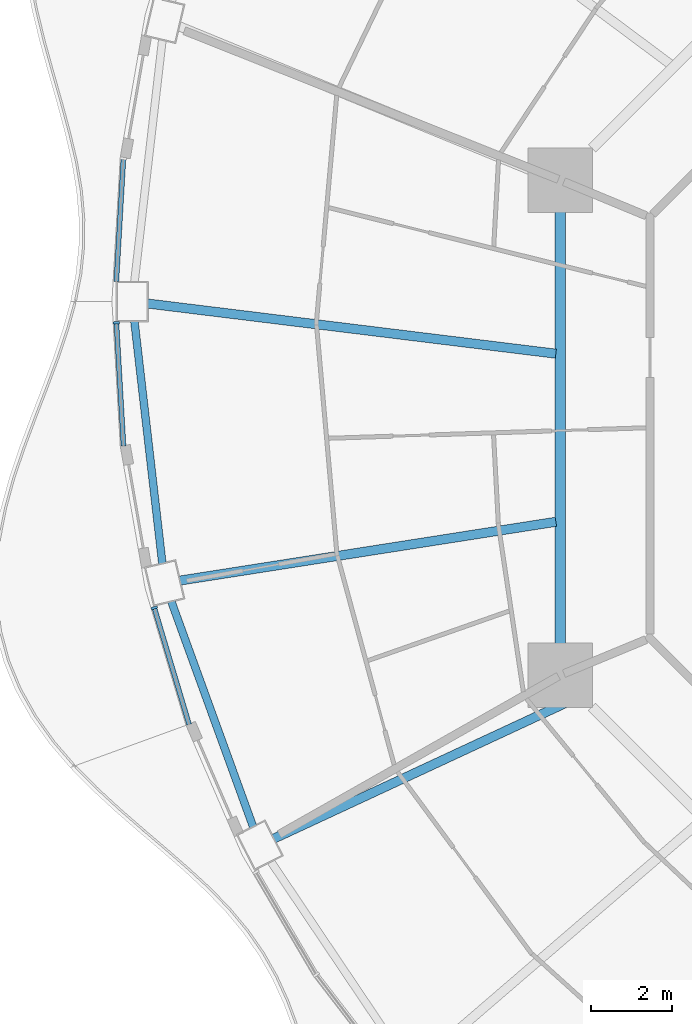
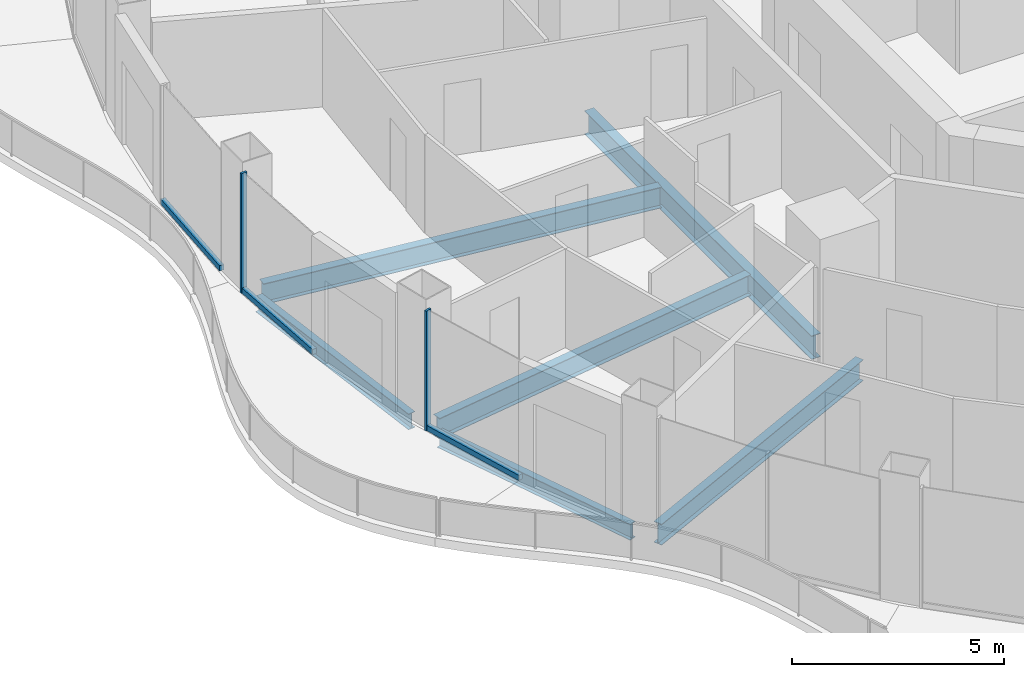
# One storey, part 3 of 18: 6 beams, 5 members, 3 elements without a shape of their own.
"""IFC4 building model written with IfcOpenShell, lengths in metres."""

import ifcopenshell
import ifcopenshell.guid

model = None  # the IFC model being written
_history = None  # IfcOwnerHistory: only IFC2X3 demands one
_inside = {}  # id of a spatial element -> (the spatial element, [elements in it])
_under = {}  # id of a project, library or spatial element -> (it, [spatial elements below it])
_declared = {}  # id of a project -> (the project, [libraries it declares])
_typed = {}  # id of a type object -> (the type object, [elements of that type])
_made_of = {}  # id of a material, layer set ... -> (it, [elements and type objects made of it])


def new_model(schema):
    """Start an empty IFC model of exactly this schema.

    Asked for "IFC4X3", IfcOpenShell would pick the latest addendum, in which some entities
    have other attributes; the version numbers below select the first issue.
    IFC2X3 requires an IfcOwnerHistory on every rooted entity: one is made here for all.
    """
    global model, _history
    if schema == "IFC4X3":
        model = ifcopenshell.file(schema_version=(4, 3, 0, 0))
    else:
        model = ifcopenshell.file(schema=schema)
    _inside.clear()
    _under.clear()
    _declared.clear()
    _typed.clear()
    _made_of.clear()
    _history = None
    if model.schema == "IFC2X3":
        org = make("IfcOrganization", Name="unknown")
        user = make(
            "IfcPersonAndOrganization",
            ThePerson=make("IfcPerson", FamilyName="unknown"),
            TheOrganization=org,
        )
        app = make(
            "IfcApplication",
            ApplicationDeveloper=org,
            Version="unknown",
            ApplicationFullName="unknown",
            ApplicationIdentifier="unknown",
        )
        _history = make(
            "IfcOwnerHistory",
            OwningUser=user,
            OwningApplication=app,
            ChangeAction="ADDED",
            CreationDate=0,
        )
    return model


def make(cls, **values):
    """One entity of the class cls with the attributes given. An attribute that is None is left unset."""
    return model.create_entity(
        cls, **{name: value for name, value in values.items() if value is not None}
    )


def rooted(cls, **values):
    """An entity with a GlobalId (a new one), such as an element, a storey or a relation."""
    return make(cls, GlobalId=ifcopenshell.guid.new(), OwnerHistory=_history, **values)


def si_unit(unit_type, name, prefix=None):
    """IfcSIUnit, for example si_unit("LENGTHUNIT", "METRE", prefix="MILLI")."""
    return make("IfcSIUnit", UnitType=unit_type, Prefix=prefix, Name=name)


def assignment(units):
    """IfcUnitAssignment: the units of a project."""
    return None if units is None else make("IfcUnitAssignment", Units=units)


def point(xyz):
    """IfcCartesianPoint."""
    return None if xyz is None else make("IfcCartesianPoint", Coordinates=xyz)


def direction(xyz):
    """IfcDirection."""
    return None if xyz is None else make("IfcDirection", DirectionRatios=xyz)


def frame(location, z_axis=None, x_axis=None):
    """IfcAxis2Placement3D, a coordinate frame: its origin and axes. An axis left out is left unset."""
    return make(
        "IfcAxis2Placement3D",
        Location=point(location),
        Axis=direction(z_axis),
        RefDirection=direction(x_axis),
    )


def frame_2d(location, x_axis=None):
    """IfcAxis2Placement2D, a coordinate frame in the plane: its origin and x axis."""
    return make(
        "IfcAxis2Placement2D", Location=point(location), RefDirection=direction(x_axis)
    )


def origin():
    """The frame at (0, 0, 0) with its axes left unset."""
    return frame((0.0, 0.0, 0.0))


def origin_2d():
    """The frame at (0, 0) in the plane with its x axis left unset."""
    return frame_2d((0.0, 0.0))


def place(relative_to, where):
    """IfcLocalPlacement: puts the frame where relative to a parent placement (None: the world)."""
    return make(
        "IfcLocalPlacement", PlacementRelTo=relative_to, RelativePlacement=where
    )


def context(
    kind, dimensions, precision=None, world=None, true_north=None, identifier=None
):
    """IfcGeometricRepresentationContext, for example the 3D "Model" context."""
    return make(
        "IfcGeometricRepresentationContext",
        ContextIdentifier=identifier,
        ContextType=kind,
        CoordinateSpaceDimension=dimensions,
        Precision=precision,
        WorldCoordinateSystem=world,
        TrueNorth=true_north,
    )


def subcontext(parent, identifier, kind, view, scale=None):
    """IfcGeometricRepresentationSubContext, for example "Body" below "Model"."""
    return make(
        "IfcGeometricRepresentationSubContext",
        ContextIdentifier=identifier,
        ContextType=kind,
        ParentContext=parent,
        TargetScale=scale,
        TargetView=view,
    )


def project(units=None, contexts=None):
    """IfcProject with its units and contexts."""
    return rooted(
        "IfcProject",
        Name="project",
        RepresentationContexts=contexts,
        UnitsInContext=assignment(units),
    )


def spatial(cls, under=None, at=None, **own):
    """A site, building, storey or space (cls), placed at a placement, below another one or the project."""
    s = rooted(cls, ObjectPlacement=at, **own)
    if under is not None:
        _under.setdefault(under.id(), (under, []))[1].append(s)
    return s


def profile(cls, at=None, kind="AREA", **sizes):
    """A parametric profile (cls). Its sizes go by their IFC names, for example OverallWidth=200.0."""
    return make(cls, ProfileType=kind, Position=at, **sizes)


def rectangle(**sizes):
    """IfcRectangleProfileDef."""
    return profile("IfcRectangleProfileDef", **sizes)


def i_section(**sizes):
    """IfcIShapeProfileDef."""
    return profile("IfcIShapeProfileDef", **sizes)


def extrude(swept, where, along, depth):
    """IfcExtrudedAreaSolid: the profile swept, set in the frame where, extruded along a direction by depth."""
    return make(
        "IfcExtrudedAreaSolid",
        SweptArea=swept,
        Position=where,
        ExtrudedDirection=direction(along),
        Depth=depth,
    )


def shape(context_of_items, identifier, shape_type, items):
    """IfcShapeRepresentation: the items that make up one representation, for example the "Body"."""
    return make(
        "IfcShapeRepresentation",
        ContextOfItems=context_of_items,
        RepresentationIdentifier=identifier,
        RepresentationType=shape_type,
        Items=items,
    )


def material(Name=None, Category=None):
    """IfcMaterial."""
    return make("IfcMaterial", Name=Name, Category=Category)


def layer(
    of_material, thickness, ventilated=None, Name=None, Category=None, Priority=None
):
    """IfcMaterialLayer: one layer of a wall or slab, of a material (None: an air gap)."""
    return make(
        "IfcMaterialLayer",
        Material=of_material,
        LayerThickness=thickness,
        IsVentilated=ventilated,
        Name=Name,
        Category=Category,
        Priority=Priority,
    )


def layer_set(layers, Name=None):
    """IfcMaterialLayerSet."""
    return make("IfcMaterialLayerSet", MaterialLayers=layers, LayerSetName=Name)


def material_profile(
    of_material, cross_section, Name=None, Category=None, Priority=None
):
    """IfcMaterialProfile: a cross section and its material."""
    return make(
        "IfcMaterialProfile",
        Name=Name,
        Material=of_material,
        Profile=cross_section,
        Priority=Priority,
        Category=Category,
    )


def profile_set(profiles, Name=None, composite=None):
    """IfcMaterialProfileSet."""
    return make(
        "IfcMaterialProfileSet",
        Name=Name,
        MaterialProfiles=profiles,
        CompositeProfile=composite,
    )


def made_of(thing, what):
    """Note that an element or type object is made of a material, layer set ...; save() writes the relation."""
    if what is not None:
        _made_of.setdefault(what.id(), (what, []))[1].append(thing)
    return thing


def type_object(cls, material=None, **own):
    """A type object (cls), such as IfcWallType, which elements share."""
    return made_of(rooted(cls, **own), material)


def element(
    cls,
    number,
    at=None,
    inside=None,
    cuts=None,
    type_object=None,
    material=None,
    context=None,
    identifier="Body",
    shape_type=None,
    held_by="IfcProductDefinitionShape",
    body=None,
    shapes=None,
    **own,
):
    """One element of the class cls, such as IfcWall. Its Tag is "e" and its number.

    at: its placement. inside: the storey or other place that contains it. cuts: it is an
    opening in that element (IfcRelVoidsElement). A single representation is given by context,
    identifier, shape_type and body (its items); several are given by shapes. held_by: the class
    of the entity that holds the representations. save() writes the other relations.
    """
    e = rooted(cls, Tag="e%d" % number, ObjectPlacement=at, **own)
    if body is not None:
        shapes = [shape(context, identifier, shape_type, body)]
    if shapes is not None:
        e.Representation = make(held_by, Representations=shapes)
    if inside is not None:
        _inside.setdefault(inside.id(), (inside, []))[1].append(e)
    if cuts is not None:
        rooted(
            "IfcRelVoidsElement", RelatingBuildingElement=cuts, RelatedOpeningElement=e
        )
    if type_object is not None:
        _typed.setdefault(type_object.id(), (type_object, []))[1].append(e)
    return made_of(e, material)


def aggregate(whole, parts):
    """IfcRelAggregates: a whole, such as a stair, and the parts it consists of."""
    return rooted("IfcRelAggregates", RelatingObject=whole, RelatedObjects=parts)


def save(model, path):
    """Write the relations noted so far, then the file.

    IfcRelAggregates (storeys below a building ...), IfcRelContainedInSpatialStructure (elements
    in a storey), IfcRelDefinesByType, IfcRelAssociatesMaterial and IfcRelDeclares: one each for
    every whole, place, type object, material and project.
    """
    for whole, parts in _under.values():
        aggregate(whole, parts)
    for where, things in _inside.values():
        rooted(
            "IfcRelContainedInSpatialStructure",
            RelatedElements=things,
            RelatingStructure=where,
        )
    for kind, things in _typed.values():
        rooted("IfcRelDefinesByType", RelatedObjects=things, RelatingType=kind)
    for what, things in _made_of.values():
        rooted("IfcRelAssociatesMaterial", RelatedObjects=things, RelatingMaterial=what)
    for by, libraries in _declared.values():
        rooted("IfcRelDeclares", RelatingContext=by, RelatedDefinitions=libraries)
    model.write(path)


model = new_model("IFC4")

# Units and contexts
model_context = context("Model", 3, precision=1e-05, world=origin(), true_north=direction((0.0, 1.0)))
body_context = subcontext(model_context, "Body", "Model", "MODEL_VIEW")
ifc_project = project(units=[si_unit("LENGTHUNIT", "METRE"), si_unit("AREAUNIT", "SQUARE_METRE"), si_unit("VOLUMEUNIT", "CUBIC_METRE"), si_unit("PLANEANGLEUNIT", "RADIAN"), si_unit("MASSUNIT", "GRAM", prefix="KILO")], contexts=[model_context])

# Site, building, storey
site_placement = place(None, origin())
site = spatial("IfcSite", under=ifc_project, at=site_placement, CompositionType="ELEMENT")
building_placement = place(site_placement, origin())
building = spatial("IfcBuilding", under=site, at=building_placement, Name="Nagisa Residences", CompositionType="ELEMENT")
storey_placement = place(building_placement, frame((0.0, 0.0, 219.60009765625)))
storey = spatial("IfcBuildingStorey", under=building, at=storey_placement, Name="L55", CompositionType="ELEMENT", Elevation=219.60009765625)

# Curtain wall, member
ifc_material_1 = material(Name="Concrete-coloured aluminium curtain wall system", Category="concrete")
ifc_layer = layer(ifc_material_1, 0.159912109375)
ifc_layer_set = layer_set([ifc_layer], Name="CW1 CURTAIN WALL")
curtain_wall_type = type_object("IfcCurtainWallType", Name="CW1 CURTAIN WALL", PredefinedType="NOTDEFINED", material=ifc_layer_set)
curtain_wall_1_placement = place(storey_placement, origin())
curtain_wall_1 = element("IfcCurtainWall", 1, at=curtain_wall_1_placement, inside=storey, type_object=curtain_wall_type, Name="cw:CW1:L55:24", PredefinedType="NOTDEFINED")
ifc_material_2 = material(Name="Concrete-coloured aluminium", Category="concrete")
ifc_material_profile_1 = material_profile(ifc_material_2, rectangle(XDim=0.159912109375, YDim=0.06005859375, at=origin_2d()), Name="CW1 MULLION 160x60")
ifc_profile_set_1 = profile_set([ifc_material_profile_1], Name="Concrete-coloured aluminium")
member_type_1 = type_object("IfcMemberType", Name="CW1 MULLION 160x60", PredefinedType="MULLION", material=ifc_profile_set_1)
member_1_placement = place(storey_placement, frame((-25.759765625, 2.59326171875, 0.0), z_axis=(0.0, 0.0, 1.0), x_axis=(0.998345305184, 0.057503492216, 0.0)))
member_1 = element("IfcMember", 2, at=member_1_placement, type_object=member_type_1, Name="CW1 mullion", PredefinedType="MULLION", context=body_context, shape_type="SweptSolid", body=[
    extrude(rectangle(XDim=0.159912109375, YDim=0.06005859375, at=origin_2d()), origin(), (0.0, 0.0, 1.0), 3.43994140625),
])

curtain_wall_2_placement = place(storey_placement, origin())
curtain_wall_2 = element("IfcCurtainWall", 3, at=curtain_wall_2_placement, inside=storey, type_object=curtain_wall_type, Name="cw:CW1:L55:26", PredefinedType="NOTDEFINED")
member_2_placement = place(storey_placement, frame((-24.82177734375, -4.456298828125, 0.0), z_axis=(0.0, 0.0, 1.0), x_axis=(0.958271310082, 0.285860274038, 0.0)))
member_2 = element("IfcMember", 4, at=member_2_placement, type_object=member_type_1, Name="CW1 mullion", PredefinedType="MULLION", context=body_context, shape_type="SweptSolid", body=[
    extrude(rectangle(XDim=0.159912109375, YDim=0.06005859375, at=origin_2d()), origin(), (0.0, 0.0, 1.0), 3.43994140625),
])

curtain_wall_3_placement = place(storey_placement, origin())
curtain_wall_3 = element("IfcCurtainWall", 5, at=curtain_wall_3_placement, inside=storey, type_object=curtain_wall_type, Name="cw:CW1:L55:23", PredefinedType="NOTDEFINED")
ifc_material_3 = material(Name="Concrete-coloured aluminium", Category="concrete")
ifc_material_profile_2 = material_profile(ifc_material_3, rectangle(XDim=0.1201171875, YDim=0.14990234375, at=origin_2d()), Name="CW1 TRANSOM 120x150")
ifc_profile_set_2 = profile_set([ifc_material_profile_2], Name="Concrete-coloured aluminium")
member_type_2 = type_object("IfcMemberType", Name="CW1 TRANSOM 120x150", PredefinedType="USERDEFINED", material=ifc_profile_set_2)
member_3_placement = place(storey_placement, frame((-25.584228515625, 6.688232421875, 0.074951171875), z_axis=(-0.057528189427, -0.998343882348, 0.0), x_axis=(0.998343882348, -0.057528189427, 0.0)))
member_3 = element("IfcMember", 6, at=member_3_placement, type_object=member_type_2, Name="CW1 transom", ObjectType="TRANSOM", PredefinedType="USERDEFINED", context=body_context, shape_type="SweptSolid", body=[
    extrude(rectangle(XDim=0.1201171875, YDim=0.14990234375, at=origin_2d()), origin(), (0.0, 0.0, 1.0), 3.0810546875),
])
aggregate(curtain_wall_3, [member_3])

# Member
member_4_placement = place(storey_placement, frame((-25.761474609375, 2.623046875, 0.074951171875), z_axis=(0.057528189427, -0.998343882348, 0.0), x_axis=(0.998343882348, 0.057528189427, 0.0)))
member_4 = element("IfcMember", 7, at=member_4_placement, type_object=member_type_2, Name="CW1 transom", ObjectType="TRANSOM", PredefinedType="USERDEFINED", context=body_context, shape_type="SweptSolid", body=[
    extrude(rectangle(XDim=0.1201171875, YDim=0.14990234375, at=origin_2d()), origin(), (0.0, 0.0, 1.0), 3.0810546875),
])

aggregate(curtain_wall_1, [member_1, member_4])

member_5_placement = place(storey_placement, frame((-24.830322265625, -4.427734375, 0.074951171875), z_axis=(0.285881452443, -0.958264992134, 0.0), x_axis=(0.958264992134, 0.285881452443, 0.0)))
member_5 = element("IfcMember", 8, at=member_5_placement, type_object=member_type_2, Name="CW1 transom", ObjectType="TRANSOM", PredefinedType="USERDEFINED", context=body_context, shape_type="SweptSolid", body=[
    extrude(rectangle(XDim=0.1201171875, YDim=0.14990234375, at=origin_2d()), origin(), (0.0, 0.0, 1.0), 3.040283203125),
])

aggregate(curtain_wall_2, [member_2, member_5])

# Beams
ifc_material_4 = material(Name="Steel ASTM A572 Gr 50", Category="steel")
ifc_material_profile_3 = material_profile(ifc_material_4, i_section(OverallWidth=0.2529296875, OverallDepth=0.677978515625, WebThickness=0.01171875, FlangeThickness=0.016357421875, at=origin_2d()), Name="W690x125")
ifc_profile_set_3 = profile_set([ifc_material_profile_3], Name="Steel ASTM A572 Gr 50")
beam_type_1 = type_object("IfcBeamType", Name="Inner ring beam W690x125", PredefinedType="BEAM", material=ifc_profile_set_3)
beam_1_placement = place(storey_placement, frame((-14.781982421875, 5.343017578125, -0.59912109375), z_axis=(0.0, -1.0, 0.0), x_axis=(1.0, 0.0, 0.0)))
element("IfcBeam", 9, at=beam_1_placement, inside=storey, type_object=beam_type_1, Name="beam:L55:ib4", PredefinedType="BEAM", context=body_context, shape_type="SweptSolid", body=[
    extrude(i_section(OverallWidth=0.2529296875, OverallDepth=0.677978515625, WebThickness=0.01171875, FlangeThickness=0.016357421875, at=origin_2d()), origin(), (0.0, 0.0, 1.0), 10.68603515625),
])
ifc_material_5 = material(Name="Steel ASTM A572 Gr 50", Category="steel")
ifc_material_profile_4 = material_profile(ifc_material_5, i_section(OverallWidth=0.18994140625, OverallDepth=0.45703125, WebThickness=0.009033203125, FlangeThickness=0.014404296875, at=origin_2d()), Name="W460x74")
ifc_profile_set_4 = profile_set([ifc_material_profile_4], Name="Steel ASTM A572 Gr 50")
beam_type_2 = type_object("IfcBeamType", Name="Perimeter ring beam W460x74", PredefinedType="BEAM", material=ifc_profile_set_4)
beam_2_placement = place(storey_placement, frame((-25.314697265625, 2.637451171875, -0.488525390625), z_axis=(0.114650193512, -0.993405925656, 0.0), x_axis=(0.993405925656, 0.114650193512, 0.0)))
element("IfcBeam", 10, at=beam_2_placement, inside=storey, type_object=beam_type_2, Name="beam:L55:pb13", PredefinedType="BEAM", context=body_context, shape_type="SweptSolid", body=[
    extrude(i_section(OverallWidth=0.18994140625, OverallDepth=0.45703125, WebThickness=0.009033203125, FlangeThickness=0.014404296875, at=origin_2d()), origin(), (0.0, 0.0, 1.0), 6.0390625),
])
beam_3_placement = place(storey_placement, frame((-24.40185546875, -4.29638671875, -0.488525390625), z_axis=(0.341290329164, -0.939957930558, 0.0), x_axis=(0.939957930558, 0.341290329164, 0.0)))
element("IfcBeam", 11, at=beam_3_placement, inside=storey, type_object=beam_type_2, Name="beam:L55:pb14", PredefinedType="BEAM", context=body_context, shape_type="SweptSolid", body=[
    extrude(i_section(OverallWidth=0.18994140625, OverallDepth=0.45703125, WebThickness=0.009033203125, FlangeThickness=0.014404296875, at=origin_2d()), origin(), (0.0, 0.0, 1.0), 5.932373046875),
])
ifc_material_6 = material(Name="Steel ASTM A572 Gr 50", Category="steel")
ifc_material_profile_5 = material_profile(ifc_material_6, i_section(OverallWidth=0.22802734375, OverallDepth=0.60302734375, WebThickness=0.010498046875, FlangeThickness=0.014892578125, at=origin_2d()), Name="W610x101")
ifc_profile_set_5 = profile_set([ifc_material_profile_5], Name="Steel ASTM A572 Gr 50")
beam_type_3 = type_object("IfcBeamType", Name="Radial beam W610x101", PredefinedType="BEAM", material=ifc_profile_set_5)
beam_4_placement = place(storey_placement, frame((-24.98974609375, 3.071044921875, -0.5615234375), z_axis=(0.992531892614, -0.121985417749, 0.0), x_axis=(0.121985417749, 0.992531892614, 0.0)))
element("IfcBeam", 12, at=beam_4_placement, inside=storey, type_object=beam_type_3, Name="beam:L55:rb13", PredefinedType="BEAM", context=body_context, shape_type="SweptSolid", body=[
    extrude(i_section(OverallWidth=0.22802734375, OverallDepth=0.60302734375, WebThickness=0.010498046875, FlangeThickness=0.014892578125, at=origin_2d()), origin(), (0.0, 0.0, 1.0), 10.177001953125),
])
beam_5_placement = place(storey_placement, frame((-24.190185546875, -3.782958984375, -0.5615234375), z_axis=(0.987991506145, 0.154508199738, 0.0), x_axis=(-0.154508199738, 0.987991506145, 0.0)))
element("IfcBeam", 13, at=beam_5_placement, inside=storey, type_object=beam_type_3, Name="beam:L55:rb14", PredefinedType="BEAM", context=body_context, shape_type="SweptSolid", body=[
    extrude(i_section(OverallWidth=0.22802734375, OverallDepth=0.60302734375, WebThickness=0.010498046875, FlangeThickness=0.014892578125, at=origin_2d()), origin(), (0.0, 0.0, 1.0), 9.414306640625),
])
beam_6_placement = place(storey_placement, frame((-21.867431640625, -10.1669921875, -0.5615234375), z_axis=(0.906781531642, 0.421600822903, 0.0), x_axis=(-0.421600822903, 0.906781531642, 0.0)))
element("IfcBeam", 14, at=beam_6_placement, inside=storey, type_object=beam_type_3, Name="beam:L55:rb15", PredefinedType="BEAM", context=body_context, shape_type="SweptSolid", body=[
    extrude(i_section(OverallWidth=0.22802734375, OverallDepth=0.60302734375, WebThickness=0.010498046875, FlangeThickness=0.014892578125, at=origin_2d()), origin(), (0.0, 0.0, 1.0), 8.263427734375),
])

save(model, "model.ifc")
